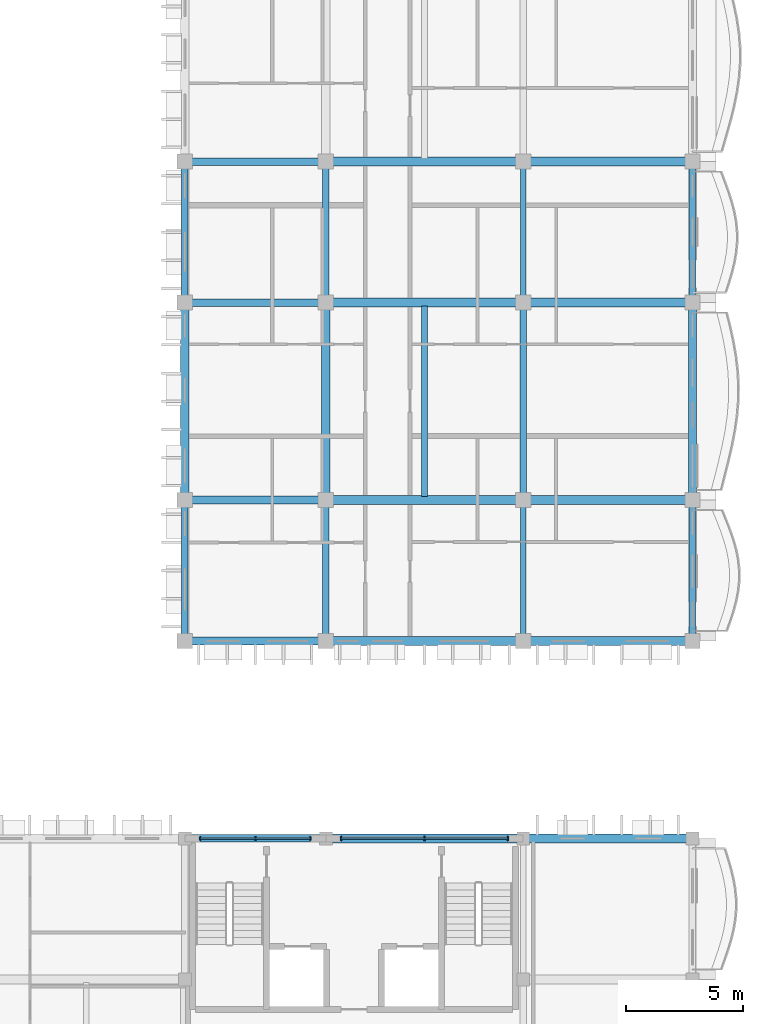
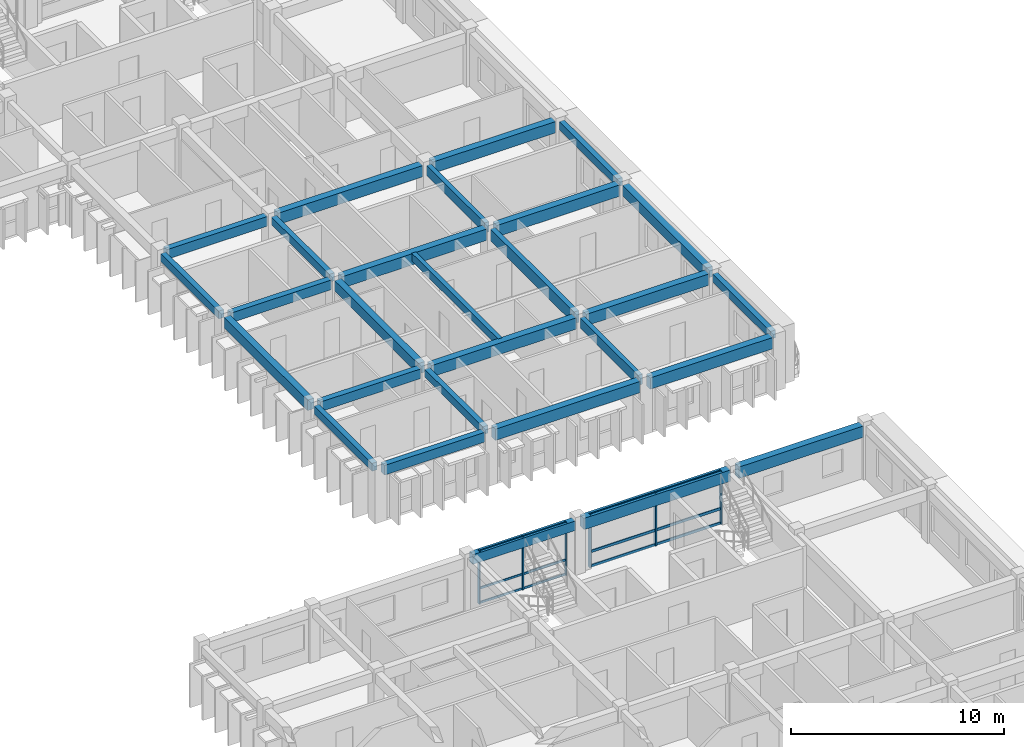
# One storey, part 8 of 70: 28 beams, 12 members, 2 elements without a shape of their own.
"""IFC4 building model written with IfcOpenShell, lengths in metres."""

from ifc_helpers import new_model, si_unit, direction, frame, origin, origin_2d, place, context, subcontext, project, spatial, rectangle, extrude, material, material_profile, profile_set, type_object, element, aggregate, save


model = new_model("IFC4")

# Units and contexts
model_context = context("Model", 3, precision=1e-05, world=origin(), true_north=direction((0.0, 1.0)))
body_context = subcontext(model_context, "Body", "Model", "MODEL_VIEW")
ifc_project = project(units=[si_unit("LENGTHUNIT", "METRE"), si_unit("AREAUNIT", "SQUARE_METRE"), si_unit("VOLUMEUNIT", "CUBIC_METRE"), si_unit("PLANEANGLEUNIT", "RADIAN"), si_unit("MASSUNIT", "GRAM", prefix="KILO"), si_unit("THERMODYNAMICTEMPERATUREUNIT", "KELVIN")], contexts=[model_context])

# Site, building, storey
site_placement = place(None, origin())
site = spatial("IfcSite", under=ifc_project, at=site_placement, CompositionType="ELEMENT")
building_placement = place(site_placement, origin())
building = spatial("IfcBuilding", under=site, at=building_placement, Name="Thalorik Housing Commons", CompositionType="ELEMENT")
storey_placement = place(building_placement, frame((0.0, 0.0, 14.699951171875)))
storey = spatial("IfcBuildingStorey", under=building, at=storey_placement, Name="L04", CompositionType="ELEMENT", Elevation=14.699951171875)

# Curtain wall, members
ifc_material_1 = material(Name="Anodised aluminium and solar-control low-E glass", Category="aluminium")
curtain_wall_type = type_object("IfcCurtainWallType", Name="ARC-CW-CORE", PredefinedType="USERDEFINED", material=ifc_material_1)
curtain_wall_1_placement = place(storey_placement, origin())
curtain_wall_1 = element("IfcCurtainWall", 1, at=curtain_wall_1_placement, inside=storey, type_object=curtain_wall_type, Name="L04 Curtain Wall CW-CORE-L04-D-190", ObjectType="CURTAIN WALL", PredefinedType="USERDEFINED")
ifc_material_2 = material(Name="Anodised aluminium 6063-T6", Category="aluminium")
ifc_material_profile_1 = material_profile(ifc_material_2, rectangle(XDim=0.06005859375, YDim=0.159912109375, at=origin_2d()), Name="ALU MUL 60x160", Category="aluminium")
ifc_profile_set_1 = profile_set([ifc_material_profile_1], Name="Anodised aluminium 6063-T6")
member_type_1 = type_object("IfcMemberType", Name="ARC-CW-MUL-60x160", PredefinedType="MULLION", material=ifc_profile_set_1)
member_1_placement = place(storey_placement, frame((157.75, 72.0, 0.0), z_axis=(0.0, 0.0, 1.0), x_axis=(-1.0, 0.0, 0.0)))
member_1 = element("IfcMember", 2, at=member_1_placement, type_object=member_type_1, Name="CW-CORE-L04-D-190 Mullion 1", PredefinedType="MULLION", context=body_context, shape_type="SweptSolid", body=[
    extrude(rectangle(XDim=0.06005859375, YDim=0.159912109375, at=origin_2d()), origin(), (0.0, 0.0, 1.0), 3.0400390625),
])
member_2_placement = place(storey_placement, frame((155.39990234375, 72.0, 0.0), z_axis=(0.0, 0.0, 1.0), x_axis=(-1.0, 0.0, 0.0)))
member_2 = element("IfcMember", 3, at=member_2_placement, type_object=member_type_1, Name="CW-CORE-L04-D-190 Mullion 2", PredefinedType="MULLION", context=body_context, shape_type="SweptSolid", body=[
    extrude(rectangle(XDim=0.06005859375, YDim=0.159912109375, at=origin_2d()), origin(), (0.0, 0.0, 1.0), 3.0400390625),
])
member_3_placement = place(storey_placement, frame((153.050048828125, 72.0, 0.0), z_axis=(0.0, 0.0, 1.0), x_axis=(-1.0, 0.0, 0.0)))
member_3 = element("IfcMember", 4, at=member_3_placement, type_object=member_type_1, Name="CW-CORE-L04-D-190 Mullion 3", PredefinedType="MULLION", context=body_context, shape_type="SweptSolid", body=[
    extrude(rectangle(XDim=0.06005859375, YDim=0.159912109375, at=origin_2d()), origin(), (0.0, 0.0, 1.0), 3.0400390625),
])

curtain_wall_2_placement = place(storey_placement, origin())
curtain_wall_2 = element("IfcCurtainWall", 5, at=curtain_wall_2_placement, inside=storey, type_object=curtain_wall_type, Name="L04 Curtain Wall CW-CORE-L04-D-189", ObjectType="CURTAIN WALL", PredefinedType="USERDEFINED")
ifc_material_profile_2 = material_profile(ifc_material_2, rectangle(XDim=0.06494140625, YDim=0.179931640625, at=origin_2d()), Name="ALU MUL 65x180", Category="aluminium")
ifc_profile_set_2 = profile_set([ifc_material_profile_2], Name="Anodised aluminium 6063-T6")
member_type_2 = type_object("IfcMemberType", Name="ARC-CW-MUL-65x180", PredefinedType="MULLION", material=ifc_profile_set_2)
member_4_placement = place(storey_placement, frame((166.14990234375, 72.0, 0.0), z_axis=(0.0, 0.0, 1.0), x_axis=(-1.0, 0.0, 0.0)))
member_4 = element("IfcMember", 6, at=member_4_placement, type_object=member_type_2, Name="CW-CORE-L04-D-189 Mullion 1", PredefinedType="MULLION", context=body_context, shape_type="SweptSolid", body=[
    extrude(rectangle(XDim=0.06494140625, YDim=0.179931640625, at=origin_2d()), origin(), (0.0, 0.0, 1.0), 3.0400390625),
])
member_5_placement = place(storey_placement, frame((162.60009765625, 72.0, 0.0), z_axis=(0.0, 0.0, 1.0), x_axis=(-1.0, 0.0, 0.0)))
member_5 = element("IfcMember", 7, at=member_5_placement, type_object=member_type_2, Name="CW-CORE-L04-D-189 Mullion 2", PredefinedType="MULLION", context=body_context, shape_type="SweptSolid", body=[
    extrude(rectangle(XDim=0.06494140625, YDim=0.179931640625, at=origin_2d()), origin(), (0.0, 0.0, 1.0), 3.0400390625),
])
member_6_placement = place(storey_placement, frame((159.050048828125, 72.0, 0.0), z_axis=(0.0, 0.0, 1.0), x_axis=(-1.0, 0.0, 0.0)))
member_6 = element("IfcMember", 8, at=member_6_placement, type_object=member_type_2, Name="CW-CORE-L04-D-189 Mullion 3", PredefinedType="MULLION", context=body_context, shape_type="SweptSolid", body=[
    extrude(rectangle(XDim=0.06494140625, YDim=0.179931640625, at=origin_2d()), origin(), (0.0, 0.0, 1.0), 3.0400390625),
])

# Member
ifc_material_profile_3 = material_profile(ifc_material_2, rectangle(XDim=0.06005859375, YDim=0.1201171875, at=origin_2d()), Name="ALU TRN 60x120", Category="aluminium")
ifc_profile_set_3 = profile_set([ifc_material_profile_3], Name="Anodised aluminium 6063-T6")
member_type_3 = type_object("IfcMemberType", Name="ARC-CW-TRN-60x120", PredefinedType="USERDEFINED", material=ifc_profile_set_3)
member_7_placement = place(storey_placement, frame((157.75, 72.0, 0.054931640625), z_axis=(-1.0, 0.0, 0.0), x_axis=(0.0, -1.0, 0.0)))
member_7 = element("IfcMember", 9, at=member_7_placement, type_object=member_type_3, Name="CW-CORE-L04-D-190 Transom 1", ObjectType="TRANSOM", PredefinedType="USERDEFINED", context=body_context, shape_type="SweptSolid", body=[
    extrude(rectangle(XDim=0.06005859375, YDim=0.1201171875, at=origin_2d()), origin(), (0.0, 0.0, 1.0), 4.699951171875),
])

member_8_placement = place(storey_placement, frame((157.75, 72.0, 0.880126953125), z_axis=(-1.0, 0.0, 0.0), x_axis=(0.0, -1.0, 0.0)))
member_8 = element("IfcMember", 10, at=member_8_placement, type_object=member_type_3, Name="CW-CORE-L04-D-190 Transom 2", ObjectType="TRANSOM", PredefinedType="USERDEFINED", context=body_context, shape_type="SweptSolid", body=[
    extrude(rectangle(XDim=0.06005859375, YDim=0.1201171875, at=origin_2d()), origin(), (0.0, 0.0, 1.0), 4.699951171875),
])

member_9_placement = place(storey_placement, frame((157.75, 72.0, 2.985107421875), z_axis=(-1.0, 0.0, 0.0), x_axis=(0.0, -1.0, 0.0)))
member_9 = element("IfcMember", 11, at=member_9_placement, type_object=member_type_3, Name="CW-CORE-L04-D-190 Transom 3", ObjectType="TRANSOM", PredefinedType="USERDEFINED", context=body_context, shape_type="SweptSolid", body=[
    extrude(rectangle(XDim=0.06005859375, YDim=0.1201171875, at=origin_2d()), origin(), (0.0, 0.0, 1.0), 4.699951171875),
])

aggregate(curtain_wall_1, [member_1, member_2, member_3, member_7, member_8, member_9])

ifc_material_profile_4 = material_profile(ifc_material_2, rectangle(XDim=0.06494140625, YDim=0.14990234375, at=origin_2d()), Name="ALU TRN 65x150", Category="aluminium")
ifc_profile_set_4 = profile_set([ifc_material_profile_4], Name="Anodised aluminium 6063-T6")
member_type_4 = type_object("IfcMemberType", Name="ARC-CW-TRN-65x150", PredefinedType="USERDEFINED", material=ifc_profile_set_4)
member_10_placement = place(storey_placement, frame((166.14990234375, 72.0, 0.054931640625), z_axis=(-1.0, 0.0, 0.0), x_axis=(0.0, -1.0, 0.0)))
member_10 = element("IfcMember", 12, at=member_10_placement, type_object=member_type_4, Name="CW-CORE-L04-D-189 Transom 1", ObjectType="TRANSOM", PredefinedType="USERDEFINED", context=body_context, shape_type="SweptSolid", body=[
    extrude(rectangle(XDim=0.06494140625, YDim=0.14990234375, at=origin_2d()), origin(), (0.0, 0.0, 1.0), 7.099853515625),
])

member_11_placement = place(storey_placement, frame((166.14990234375, 72.0, 0.880126953125), z_axis=(-1.0, 0.0, 0.0), x_axis=(0.0, -1.0, 0.0)))
member_11 = element("IfcMember", 13, at=member_11_placement, type_object=member_type_4, Name="CW-CORE-L04-D-189 Transom 2", ObjectType="TRANSOM", PredefinedType="USERDEFINED", context=body_context, shape_type="SweptSolid", body=[
    extrude(rectangle(XDim=0.06494140625, YDim=0.14990234375, at=origin_2d()), origin(), (0.0, 0.0, 1.0), 7.099853515625),
])

member_12_placement = place(storey_placement, frame((166.14990234375, 72.0, 2.985107421875), z_axis=(-1.0, 0.0, 0.0), x_axis=(0.0, -1.0, 0.0)))
member_12 = element("IfcMember", 14, at=member_12_placement, type_object=member_type_4, Name="CW-CORE-L04-D-189 Transom 3", ObjectType="TRANSOM", PredefinedType="USERDEFINED", context=body_context, shape_type="SweptSolid", body=[
    extrude(rectangle(XDim=0.06494140625, YDim=0.14990234375, at=origin_2d()), origin(), (0.0, 0.0, 1.0), 7.099853515625),
])

aggregate(curtain_wall_2, [member_4, member_5, member_6, member_10, member_11, member_12])

# Beams
ifc_material_3 = material(Name="Precast concrete C40/50", Category="concrete")
ifc_material_profile_5 = material_profile(ifc_material_3, rectangle(XDim=0.280029296875, YDim=0.449951171875, at=origin_2d()), Name="PC 280x450", Category="concrete")
ifc_profile_set_5 = profile_set([ifc_material_profile_5], Name="Precast concrete C40/50")
beam_type_1 = type_object("IfcBeamType", Name="STR-BM-PC280x450", PredefinedType="BEAM", material=ifc_profile_set_5)
for number, where, z_axis, x_axis, name in (
    (15, (152.39990234375, 80.675048828125, 2.81494140625), (0.0, 1.0, 0.0), (-1.0, 0.0, 0.0), "L04 Beam B-450"),
    (16, (152.39990234375, 95.074951171875, 2.81494140625), (0.0, 1.0, 0.0), (-1.0, 0.0, 0.0), "L04 Beam B-450"),
    (17, (158.39990234375, 80.675048828125, 2.81494140625), (0.0, 1.0, 0.0), (-1.0, 0.0, 0.0), "L04 Beam B-450"),
    (18, (158.39990234375, 95.074951171875, 2.81494140625), (0.0, 1.0, 0.0), (-1.0, 0.0, 0.0), "L04 Beam B-450"),
    (19, (174.0, 80.675048828125, 2.81494140625), (0.0, 1.0, 0.0), (-1.0, 0.0, 0.0), "L04 Beam B-450"),
    (20, (174.0, 95.074951171875, 2.81494140625), (0.0, 1.0, 0.0), (-1.0, 0.0, 0.0), "L04 Beam B-450"),
):
    element("IfcBeam", number, at=place(storey_placement, frame(where, z_axis=z_axis, x_axis=x_axis)), inside=storey, type_object=beam_type_1, Name=name, PredefinedType="BEAM", context=body_context, shape_type="SweptSolid", body=[
        extrude(rectangle(XDim=0.280029296875, YDim=0.449951171875, at=origin_2d()), origin(), (0.0, 0.0, 1.0), 5.449951171875),
    ])
ifc_material_profile_6 = material_profile(ifc_material_3, rectangle(XDim=0.320068359375, YDim=0.550048828125, at=origin_2d()), Name="PC 320x550", Category="concrete")
ifc_profile_set_6 = profile_set([ifc_material_profile_6], Name="Precast concrete C40/50")
beam_type_2 = type_object("IfcBeamType", Name="STR-BM-PC320x550", PredefinedType="BEAM", material=ifc_profile_set_6)
beam_1_placement = place(storey_placement, frame((152.625, 72.0, 2.76513671875), z_axis=(1.0, 0.0, 0.0), x_axis=(0.0, 1.0, 0.0)))
element("IfcBeam", 21, at=beam_1_placement, inside=storey, type_object=beam_type_2, Name="L04 Beam B-550", PredefinedType="BEAM", context=body_context, shape_type="SweptSolid", body=[
    extrude(rectangle(XDim=0.320068359375, YDim=0.550048828125, at=origin_2d()), origin(), (0.0, 0.0, 1.0), 5.550048828125),
])
for number, where, z_axis, x_axis, name in (
    (22, (152.675048828125, 80.39990234375, 2.76513671875), (1.0, 0.0, 0.0), (0.0, 1.0, 0.0), "L04 Beam B-550"),
    (23, (152.675048828125, 86.39990234375, 2.76513671875), (1.0, 0.0, 0.0), (0.0, 1.0, 0.0), "L04 Beam B-550"),
    (24, (152.675048828125, 94.800048828125, 2.76513671875), (1.0, 0.0, 0.0), (0.0, 1.0, 0.0), "L04 Beam B-550"),
    (25, (152.675048828125, 100.800048828125, 2.76513671875), (1.0, 0.0, 0.0), (0.0, 1.0, 0.0), "L04 Beam B-550"),
):
    element("IfcBeam", number, at=place(storey_placement, frame(where, z_axis=z_axis, x_axis=x_axis)), inside=storey, type_object=beam_type_2, Name=name, PredefinedType="BEAM", context=body_context, shape_type="SweptSolid", body=[
        extrude(rectangle(XDim=0.320068359375, YDim=0.550048828125, at=origin_2d()), origin(), (0.0, 0.0, 1.0), 5.449951171875),
    ])
ifc_material_profile_7 = material_profile(ifc_material_3, rectangle(XDim=0.35009765625, YDim=0.60009765625, at=origin_2d()), Name="PC 350x600", Category="concrete")
ifc_profile_set_7 = profile_set([ifc_material_profile_7], Name="Precast concrete C40/50")
beam_type_3 = type_object("IfcBeamType", Name="STR-BM-PC350x600", PredefinedType="BEAM", material=ifc_profile_set_7)
for number, where, z_axis, x_axis, name in (
    (26, (152.39990234375, 86.675048828125, 2.739990234375), (0.0, 1.0, 0.0), (-1.0, 0.0, 0.0), "L04 Beam B-600"),
    (27, (158.39990234375, 86.675048828125, 2.739990234375), (0.0, 1.0, 0.0), (-1.0, 0.0, 0.0), "L04 Beam B-600"),
    (28, (174.0, 86.675048828125, 2.739990234375), (0.0, 1.0, 0.0), (-1.0, 0.0, 0.0), "L04 Beam B-600"),
):
    element("IfcBeam", number, at=place(storey_placement, frame(where, z_axis=z_axis, x_axis=x_axis)), inside=storey, type_object=beam_type_3, Name=name, PredefinedType="BEAM", context=body_context, shape_type="SweptSolid", body=[
        extrude(rectangle(XDim=0.35009765625, YDim=0.60009765625, at=origin_2d()), origin(), (0.0, 0.0, 1.0), 7.849853515625),
    ])
ifc_material_profile_8 = material_profile(ifc_material_3, rectangle(XDim=0.3798828125, YDim=0.64990234375, at=origin_2d()), Name="PC 380x650", Category="concrete")
ifc_profile_set_8 = profile_set([ifc_material_profile_8], Name="Precast concrete C40/50")
beam_type_4 = type_object("IfcBeamType", Name="STR-BM-PC380x650", PredefinedType="BEAM", material=ifc_profile_set_8)
beam_2_placement = place(storey_placement, frame((158.625, 72.0, 2.715087890625), z_axis=(1.0, 0.0, 0.0), x_axis=(0.0, 1.0, 0.0)))
element("IfcBeam", 29, at=beam_2_placement, inside=storey, type_object=beam_type_4, Name="L04 Beam B-650", PredefinedType="BEAM", context=body_context, shape_type="SweptSolid", body=[
    extrude(rectangle(XDim=0.3798828125, YDim=0.64990234375, at=origin_2d()), origin(), (0.0, 0.0, 1.0), 7.949951171875),
])
beam_3_placement = place(storey_placement, frame((167.02490234375, 72.0, 2.715087890625), z_axis=(1.0, 0.0, 0.0), x_axis=(0.0, 1.0, 0.0)))
element("IfcBeam", 30, at=beam_3_placement, inside=storey, type_object=beam_type_4, Name="L04 Beam B-650", PredefinedType="BEAM", context=body_context, shape_type="SweptSolid", body=[
    extrude(rectangle(XDim=0.3798828125, YDim=0.64990234375, at=origin_2d()), origin(), (0.0, 0.0, 1.0), 6.75),
])
beam_4_placement = place(storey_placement, frame((158.675048828125, 80.39990234375, 2.715087890625), z_axis=(1.0, 0.0, 0.0), x_axis=(0.0, 1.0, 0.0)))
element("IfcBeam", 31, at=beam_4_placement, inside=storey, type_object=beam_type_4, Name="L04 Beam B-650", PredefinedType="BEAM", context=body_context, shape_type="SweptSolid", body=[
    extrude(rectangle(XDim=0.3798828125, YDim=0.64990234375, at=origin_2d()), origin(), (0.0, 0.0, 1.0), 7.849853515625),
])
beam_5_placement = place(storey_placement, frame((167.074951171875, 80.39990234375, 2.715087890625), z_axis=(1.0, 0.0, 0.0), x_axis=(0.0, 1.0, 0.0)))
element("IfcBeam", 32, at=beam_5_placement, inside=storey, type_object=beam_type_4, Name="L04 Beam B-650", PredefinedType="BEAM", context=body_context, shape_type="SweptSolid", body=[
    extrude(rectangle(XDim=0.3798828125, YDim=0.64990234375, at=origin_2d()), origin(), (0.0, 0.0, 1.0), 6.650146484375),
])
beam_6_placement = place(storey_placement, frame((158.675048828125, 86.39990234375, 2.715087890625), z_axis=(1.0, 0.0, 0.0), x_axis=(0.0, 1.0, 0.0)))
element("IfcBeam", 33, at=beam_6_placement, inside=storey, type_object=beam_type_4, Name="L04 Beam B-650", PredefinedType="BEAM", context=body_context, shape_type="SweptSolid", body=[
    extrude(rectangle(XDim=0.3798828125, YDim=0.64990234375, at=origin_2d()), origin(), (0.0, 0.0, 1.0), 7.849853515625),
])
beam_7_placement = place(storey_placement, frame((167.074951171875, 86.39990234375, 2.715087890625), z_axis=(1.0, 0.0, 0.0), x_axis=(0.0, 1.0, 0.0)))
element("IfcBeam", 34, at=beam_7_placement, inside=storey, type_object=beam_type_4, Name="L04 Beam B-650", PredefinedType="BEAM", context=body_context, shape_type="SweptSolid", body=[
    extrude(rectangle(XDim=0.3798828125, YDim=0.64990234375, at=origin_2d()), origin(), (0.0, 0.0, 1.0), 6.650146484375),
])
beam_8_placement = place(storey_placement, frame((158.675048828125, 94.800048828125, 2.715087890625), z_axis=(1.0, 0.0, 0.0), x_axis=(0.0, 1.0, 0.0)))
element("IfcBeam", 35, at=beam_8_placement, inside=storey, type_object=beam_type_4, Name="L04 Beam B-650", PredefinedType="BEAM", context=body_context, shape_type="SweptSolid", body=[
    extrude(rectangle(XDim=0.3798828125, YDim=0.64990234375, at=origin_2d()), origin(), (0.0, 0.0, 1.0), 7.849853515625),
])
beam_9_placement = place(storey_placement, frame((167.074951171875, 94.800048828125, 2.715087890625), z_axis=(1.0, 0.0, 0.0), x_axis=(0.0, 1.0, 0.0)))
element("IfcBeam", 36, at=beam_9_placement, inside=storey, type_object=beam_type_4, Name="L04 Beam B-650", PredefinedType="BEAM", context=body_context, shape_type="SweptSolid", body=[
    extrude(rectangle(XDim=0.3798828125, YDim=0.64990234375, at=origin_2d()), origin(), (0.0, 0.0, 1.0), 6.650146484375),
])
beam_10_placement = place(storey_placement, frame((158.675048828125, 100.800048828125, 2.715087890625), z_axis=(1.0, 0.0, 0.0), x_axis=(0.0, 1.0, 0.0)))
element("IfcBeam", 37, at=beam_10_placement, inside=storey, type_object=beam_type_4, Name="L04 Beam B-650", PredefinedType="BEAM", context=body_context, shape_type="SweptSolid", body=[
    extrude(rectangle(XDim=0.3798828125, YDim=0.64990234375, at=origin_2d()), origin(), (0.0, 0.0, 1.0), 7.849853515625),
])
beam_11_placement = place(storey_placement, frame((167.074951171875, 100.800048828125, 2.715087890625), z_axis=(1.0, 0.0, 0.0), x_axis=(0.0, 1.0, 0.0)))
element("IfcBeam", 38, at=beam_11_placement, inside=storey, type_object=beam_type_4, Name="L04 Beam B-650", PredefinedType="BEAM", context=body_context, shape_type="SweptSolid", body=[
    extrude(rectangle(XDim=0.3798828125, YDim=0.64990234375, at=origin_2d()), origin(), (0.0, 0.0, 1.0), 6.650146484375),
])
ifc_material_profile_9 = material_profile(ifc_material_3, rectangle(XDim=0.239990234375, YDim=0.43994140625, at=origin_2d()), Name="PC JST 240x440", Category="concrete")
ifc_profile_set_9 = profile_set([ifc_material_profile_9], Name="Precast concrete C40/50")
beam_type_5 = type_object("IfcBeamType", Name="STR-JST-PC240x440", PredefinedType="JOIST", material=ifc_profile_set_9)
beam_12_placement = place(storey_placement, frame((162.60009765625, 86.5400390625, 2.820068359375), z_axis=(0.0, 1.0, 0.0), x_axis=(-1.0, 0.0, 0.0)))
element("IfcBeam", 39, at=beam_12_placement, inside=storey, type_object=beam_type_5, Name="L04 Beam J-440", PredefinedType="JOIST", context=body_context, shape_type="SweptSolid", body=[
    extrude(rectangle(XDim=0.239990234375, YDim=0.43994140625, at=origin_2d()), origin(), (0.0, 0.0, 1.0), 8.119873046875),
])
ifc_material_profile_10 = material_profile(ifc_material_3, rectangle(XDim=0.239990234375, YDim=0.580078125, at=origin_2d()), Name="PC SP 240x580", Category="concrete")
ifc_profile_set_10 = profile_set([ifc_material_profile_10], Name="Precast concrete C40/50")
beam_type_6 = type_object("IfcBeamType", Name="STR-SP-PC240x580", PredefinedType="SPANDREL", material=ifc_profile_set_10)
for number, where, z_axis, x_axis, name in (
    (40, (166.800048828125, 80.675048828125, 2.75), (0.0, 1.0, 0.0), (-1.0, 0.0, 0.0), "L04 Beam B-450"),
    (41, (166.800048828125, 95.074951171875, 2.75), (0.0, 1.0, 0.0), (-1.0, 0.0, 0.0), "L04 Beam B-450"),
):
    element("IfcBeam", number, at=place(storey_placement, frame(where, z_axis=z_axis, x_axis=x_axis)), inside=storey, type_object=beam_type_6, Name=name, PredefinedType="SPANDREL", context=body_context, shape_type="SweptSolid", body=[
        extrude(rectangle(XDim=0.239990234375, YDim=0.580078125, at=origin_2d()), origin(), (0.0, 0.0, 1.0), 5.449951171875),
    ])
ifc_material_profile_11 = material_profile(ifc_material_3, rectangle(XDim=0.260009765625, YDim=0.679931640625, at=origin_2d()), Name="PC SP 260x680", Category="concrete")
ifc_profile_set_11 = profile_set([ifc_material_profile_11], Name="Precast concrete C40/50")
beam_type_7 = type_object("IfcBeamType", Name="STR-SP-PC260x680", PredefinedType="SPANDREL", material=ifc_profile_set_11)
beam_13_placement = place(storey_placement, frame((166.800048828125, 86.675048828125, 2.699951171875), z_axis=(0.0, 1.0, 0.0), x_axis=(-1.0, 0.0, 0.0)))
element("IfcBeam", 42, at=beam_13_placement, inside=storey, type_object=beam_type_7, Name="L04 Beam B-600", PredefinedType="SPANDREL", context=body_context, shape_type="SweptSolid", body=[
    extrude(rectangle(XDim=0.260009765625, YDim=0.679931640625, at=origin_2d()), origin(), (0.0, 0.0, 1.0), 7.849853515625),
])

save(model, "model.ifc")
